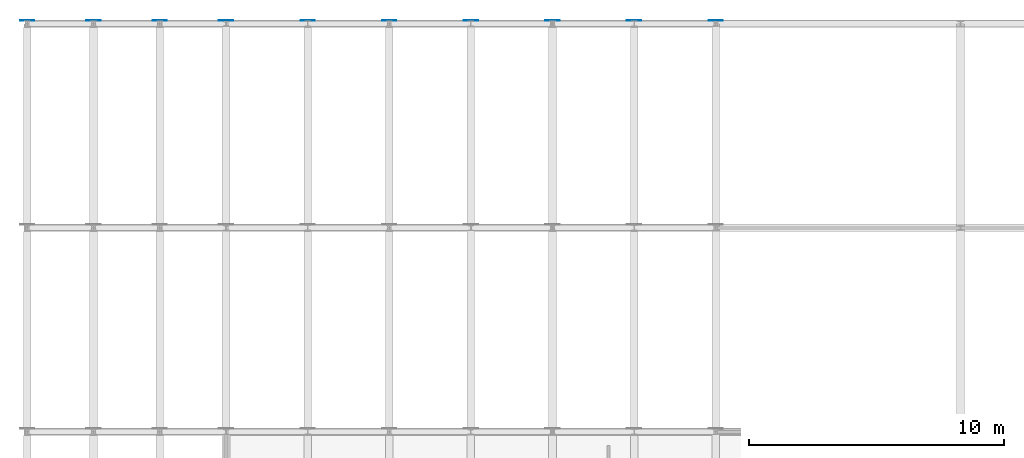
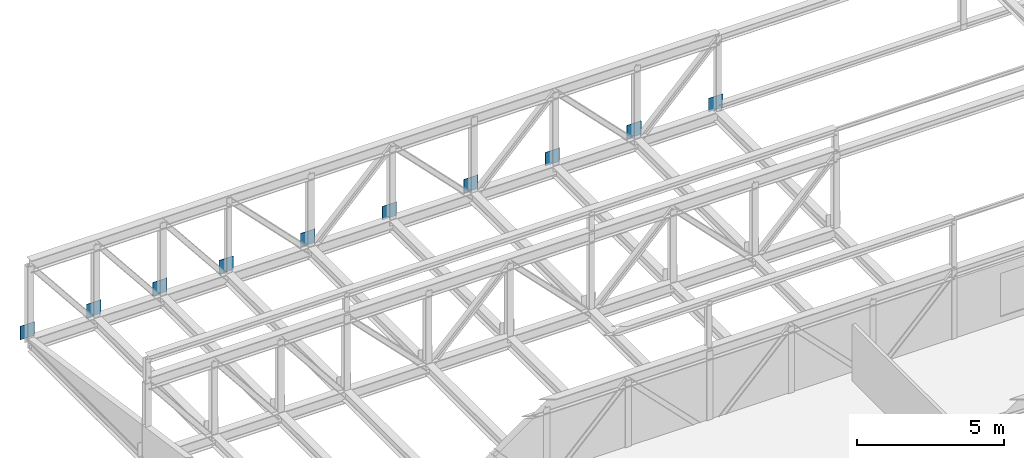
# One storey, part 30 of 34: 10 plates.
"""IFC4 building model written with IfcOpenShell, lengths in metres."""

from ifc_helpers import new_model, si_unit, direction, frame, origin, origin_2d, place, context, subcontext, project, spatial, rectangle, extrude, material, layer, layer_set, type_object, element, save


model = new_model("IFC4")

# Units and contexts
model_context = context("Model", 3, precision=1e-05, world=origin(), true_north=direction((0.0, 1.0)))
body_context = subcontext(model_context, "Body", "Model", "MODEL_VIEW")
ifc_project = project(units=[si_unit("LENGTHUNIT", "METRE"), si_unit("AREAUNIT", "SQUARE_METRE"), si_unit("VOLUMEUNIT", "CUBIC_METRE"), si_unit("PLANEANGLEUNIT", "RADIAN"), si_unit("MASSUNIT", "GRAM", prefix="KILO")], contexts=[model_context])

# Site, building, storey
site_placement = place(None, origin())
site = spatial("IfcSite", under=ifc_project, at=site_placement, CompositionType="ELEMENT")
building_placement = place(site_placement, origin())
building = spatial("IfcBuilding", under=site, at=building_placement, Name="Alderhovde Museum", CompositionType="ELEMENT")
storey_placement = place(building_placement, frame((0.0, 0.0, 25.800048828125)))
storey = spatial("IfcBuildingStorey", under=building, at=storey_placement, Name="L05", CompositionType="ELEMENT", Elevation=25.800048828125)

# Plates
ifc_material = material(Name="Steel S355J2", Category="steel")
ifc_layer = layer(ifc_material, 0.02197265625)
ifc_layer_set = layer_set([ifc_layer], Name="Steel S355J2")
plate_type = type_object("IfcPlateType", Name="PLT-GUSSET-22", PredefinedType="USERDEFINED", material=ifc_layer_set)
for number, where, z_axis, x_axis, name in (
    (1, (1.800048828125, 112.1298828125, -0.340087890625), (0.0, 0.0, 1.0), (1.0, 0.0, 0.0), "Transfer Truss Gusset Plate Y=112 T3-1"),
    (2, (4.39990234375, 112.1298828125, -0.340087890625), (0.0, 0.0, 1.0), (1.0, 0.0, 0.0), "Transfer Truss Gusset Plate Y=112 T3-2"),
    (3, (7.0, 112.1298828125, -0.340087890625), (0.0, 0.0, 1.0), (1.0, 0.0, 0.0), "Transfer Truss Gusset Plate Y=112 T3-3"),
    (4, (9.60009765625, 112.1298828125, -0.340087890625), (0.0, 0.0, 1.0), (1.0, 0.0, 0.0), "Transfer Truss Gusset Plate Y=112 T3-4"),
    (5, (12.800048828125, 112.1298828125, -0.340087890625), (0.0, 0.0, 1.0), (1.0, 0.0, 0.0), "Transfer Truss Gusset Plate Y=112 T3-5"),
    (6, (16.0, 112.1298828125, -0.340087890625), (0.0, 0.0, 1.0), (1.0, 0.0, 0.0), "Transfer Truss Gusset Plate Y=112 T3-6"),
    (7, (19.199951171875, 112.1298828125, -0.340087890625), (0.0, 0.0, 1.0), (1.0, 0.0, 0.0), "Transfer Truss Gusset Plate Y=112 T3-7"),
    (8, (22.39990234375, 112.1298828125, -0.340087890625), (0.0, 0.0, 1.0), (1.0, 0.0, 0.0), "Transfer Truss Gusset Plate Y=112 T3-8"),
    (9, (25.60009765625, 112.1298828125, -0.340087890625), (0.0, 0.0, 1.0), (1.0, 0.0, 0.0), "Transfer Truss Gusset Plate Y=112 T3-9"),
    (10, (28.800048828125, 112.1298828125, -0.340087890625), (0.0, 0.0, 1.0), (1.0, 0.0, 0.0), "Transfer Truss Gusset Plate Y=112 T3-10"),
):
    element("IfcPlate", number, at=place(storey_placement, frame(where, z_axis=z_axis, x_axis=x_axis)), inside=storey, type_object=plate_type, Name=name, ObjectType="GUSSET PLATE", PredefinedType="USERDEFINED", context=body_context, shape_type="SweptSolid", body=[
        extrude(rectangle(XDim=0.56005859375, YDim=0.02197265625, at=origin_2d()), origin(), (0.0, 0.0, 1.0), 0.56005859375),
    ])

save(model, "model.ifc")
